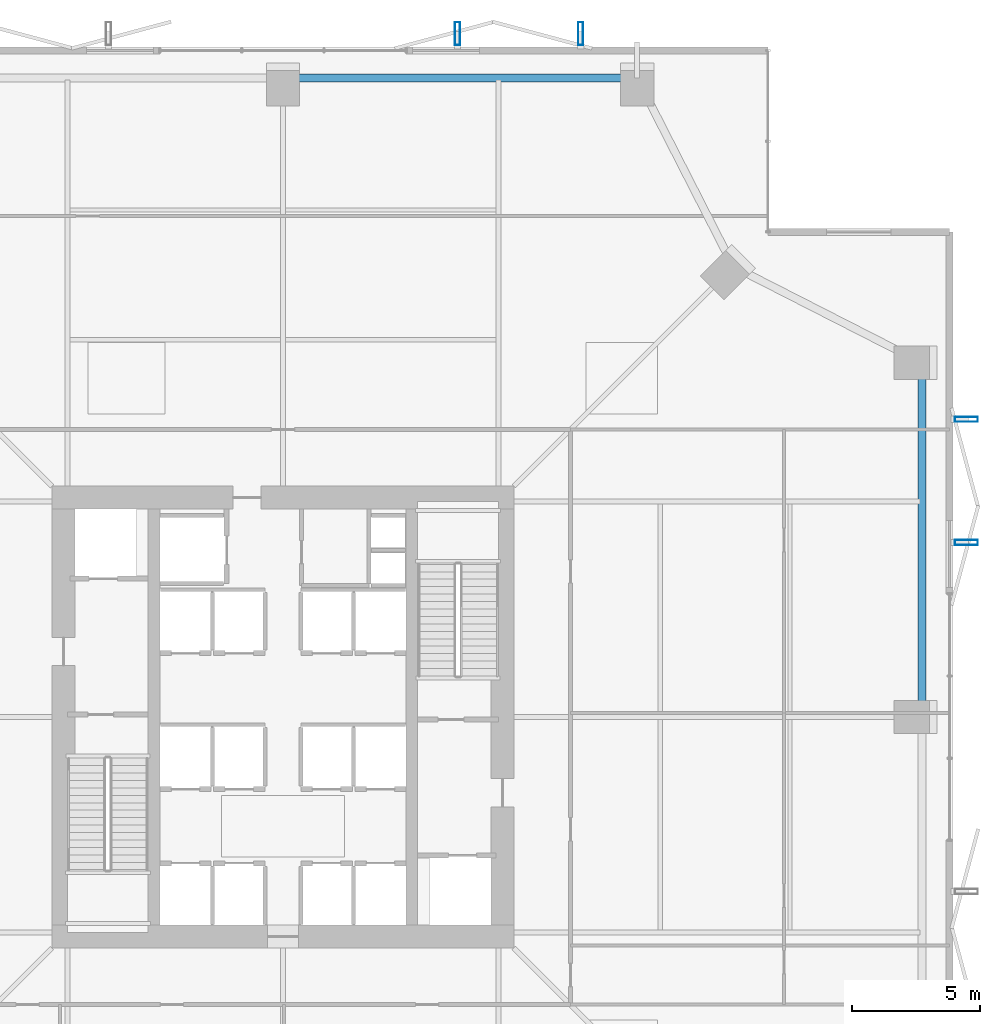
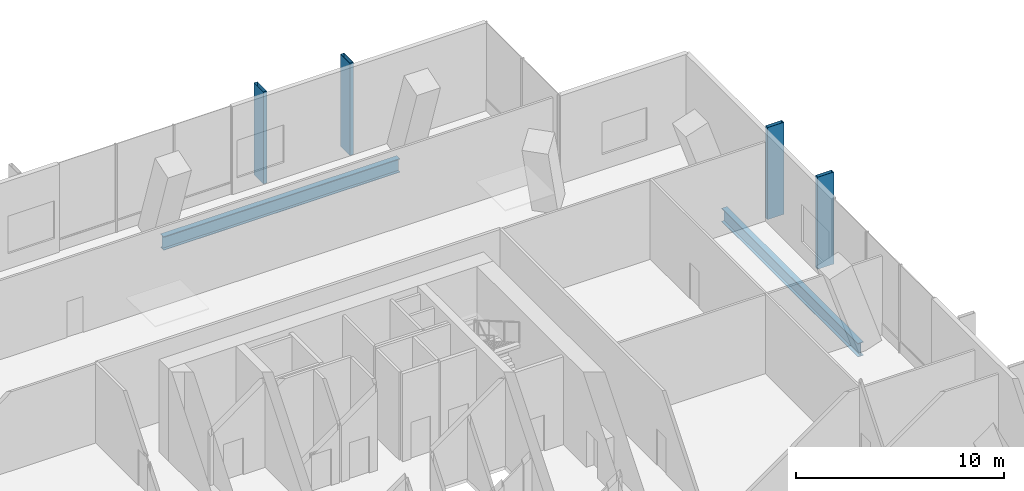
# One storey, part 21 of 28: 4 members, 2 beams.
"""IFC4 building model written with IfcOpenShell, lengths in metres."""

from ifc_helpers import new_model, si_unit, direction, frame, origin, origin_2d, place, context, subcontext, project, spatial, hollow_rectangle, i_section, extrude, material, material_profile, profile_set, type_object, element, save


model = new_model("IFC4")

# Units and contexts
model_context = context("Model", 3, precision=1e-05, world=origin(), true_north=direction((0.0, 1.0)))
body_context = subcontext(model_context, "Body", "Model", "MODEL_VIEW")
ifc_project = project(units=[si_unit("LENGTHUNIT", "METRE"), si_unit("AREAUNIT", "SQUARE_METRE"), si_unit("VOLUMEUNIT", "CUBIC_METRE"), si_unit("PLANEANGLEUNIT", "RADIAN"), si_unit("MASSUNIT", "GRAM", prefix="KILO")], contexts=[model_context])

# Site, building, storey
site_placement = place(None, origin())
site = spatial("IfcSite", under=ifc_project, at=site_placement, CompositionType="ELEMENT")
building_placement = place(site_placement, origin())
building = spatial("IfcBuilding", under=site, at=building_placement, Name="Belovzor Exchange Tower", CompositionType="ELEMENT")
storey_placement = place(building_placement, frame((0.0, 0.0, 132.89990234375)))
storey = spatial("IfcBuildingStorey", under=building, at=storey_placement, Name="L32", CompositionType="ELEMENT", Elevation=132.89990234375)

# Beams
ifc_material_1 = material(Name="Steel S355", Category="steel")
ifc_material_profile_1 = material_profile(ifc_material_1, i_section(OverallWidth=0.300048828125, OverallDepth=0.800048828125, WebThickness=0.017578125, FlangeThickness=0.032958984375, at=origin_2d()))
ifc_profile_set_1 = profile_set([ifc_material_profile_1], Name="Steel S355")
beam_type = type_object("IfcBeamType", Name="Sky-Lobby Primary Girder HEB 800", PredefinedType="BEAM", material=ifc_profile_set_1)
for number, where, z_axis, x_axis, name in (
    (1, (53.699951171875, 29.157958984375, -0.64990234375), (0.0, 1.0, 0.0), (-1.0, 0.0, 0.0), "SG-1 Sky-Lobby Primary Girder HEB 800"),
    (2, (42.241943359375, 53.699951171875, -0.64990234375), (-1.0, 0.0, 0.0), (0.0, -1.0, 0.0), "SG-1 Sky-Lobby Primary Girder HEB 800"),
):
    element("IfcBeam", number, at=place(storey_placement, frame(where, z_axis=z_axis, x_axis=x_axis)), inside=storey, type_object=beam_type, Name=name, PredefinedType="BEAM", context=body_context, shape_type="SweptSolid", body=[
        extrude(i_section(OverallWidth=0.300048828125, OverallDepth=0.800048828125, WebThickness=0.017578125, FlangeThickness=0.032958984375, at=origin_2d()), origin(), (0.0, 0.0, 1.0), 13.083984375),
    ])

# Members
ifc_material_2 = material(Name="Extruded Architectural Terracotta on Steel S355 Carrier", Category="masonry")
ifc_material_profile_2 = material_profile(ifc_material_2, hollow_rectangle(XDim=0.199951171875, YDim=0.89990234375, WallThickness=0.011962890625, at=origin_2d()))
ifc_profile_set_2 = profile_set([ifc_material_profile_2], Name="Extruded Architectural Terracotta on Steel S355 Carrier")
member_type = type_object("IfcMemberType", Name="Sweeping Terracotta Baguette Fin Assembly 1250", PredefinedType="USERDEFINED", material=ifc_profile_set_2)
for number, where, z_axis, x_axis, name in (
    (3, (35.60009765625, 55.425048828125, -0.25), (0.0, 0.0, 1.0), (1.0, 0.0, 0.0), "FIN-TC125 Terracotta Facade Fin L32 N3"),
    (4, (55.425048828125, 35.60009765625, -0.25), (0.0, 0.0, 1.0), (0.0, 1.0, 0.0), "FIN-TC125 Terracotta Facade Fin L32 E3"),
    (5, (40.39990234375, 55.425048828125, -0.25), (0.0, 0.0, 1.0), (1.0, 0.0, 0.0), "FIN-TC125 Terracotta Facade Fin L32 N4"),
    (6, (55.425048828125, 40.39990234375, -0.25), (0.0, 0.0, 1.0), (0.0, 1.0, 0.0), "FIN-TC125 Terracotta Facade Fin L32 E4"),
):
    element("IfcMember", number, at=place(storey_placement, frame(where, z_axis=z_axis, x_axis=x_axis)), inside=storey, type_object=member_type, Name=name, ObjectType="FIN", PredefinedType="USERDEFINED", context=body_context, shape_type="SweptSolid", body=[
        extrude(hollow_rectangle(XDim=0.199951171875, YDim=0.89990234375, WallThickness=0.011962890625, at=origin_2d()), origin(), (0.0, 0.0, 1.0), 5.39501953125),
    ])

save(model, "model.ifc")
